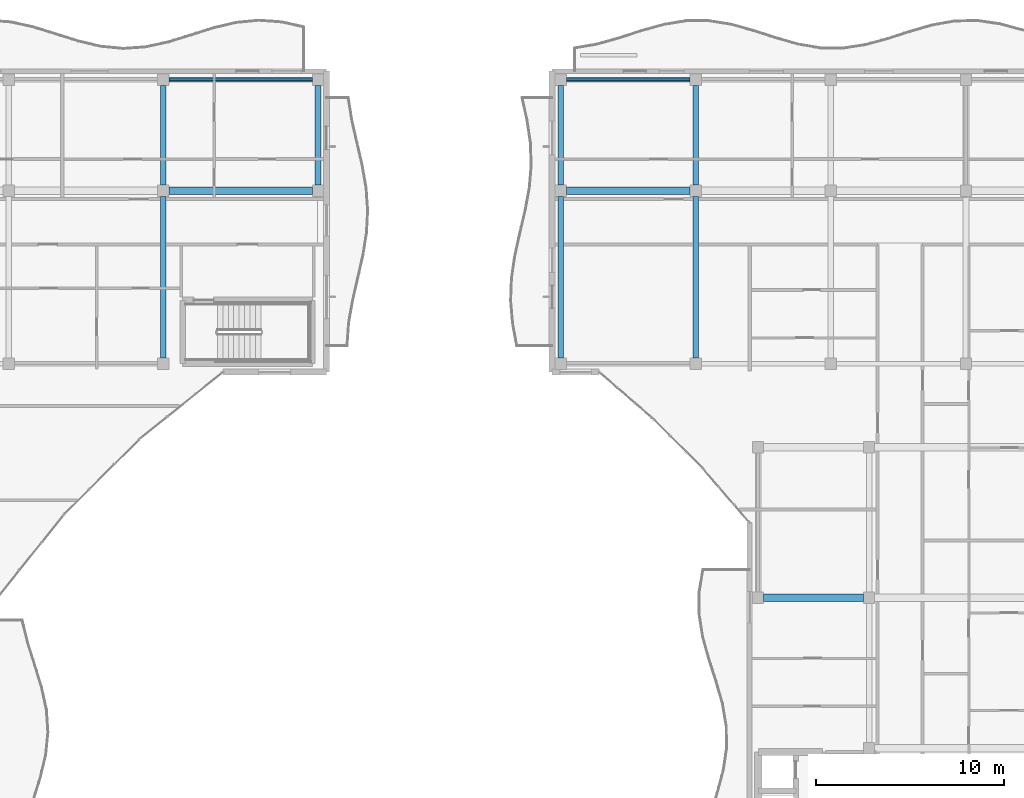
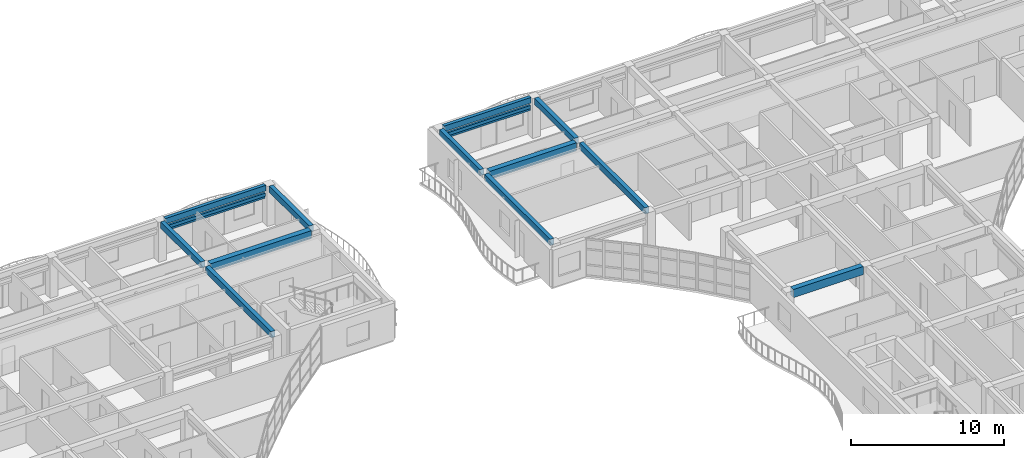
# One storey, part 10 of 71: 12 beams, 4 members.
"""IFC4 building model written with IfcOpenShell, lengths in metres."""

from ifc_helpers import new_model, si_unit, direction, frame, origin, origin_2d, place, context, subcontext, project, spatial, rectangle, hollow_rectangle, extrude, material, material_profile, profile_set, type_object, element, save


model = new_model("IFC4")

# Units and contexts
model_context = context("Model", 3, precision=1e-05, world=origin(), true_north=direction((0.0, 1.0)))
body_context = subcontext(model_context, "Body", "Model", "MODEL_VIEW")
ifc_project = project(units=[si_unit("LENGTHUNIT", "METRE"), si_unit("AREAUNIT", "SQUARE_METRE"), si_unit("VOLUMEUNIT", "CUBIC_METRE"), si_unit("PLANEANGLEUNIT", "RADIAN"), si_unit("MASSUNIT", "GRAM", prefix="KILO")], contexts=[model_context])

# Site, building, storey
site_placement = place(None, origin())
site = spatial("IfcSite", under=ifc_project, at=site_placement, CompositionType="ELEMENT")
building_placement = place(site_placement, origin())
building = spatial("IfcBuilding", under=site, at=building_placement, Name="Keldmere Railside Commons", CompositionType="ELEMENT")
storey_placement = place(building_placement, frame((0.0, 0.0, 20.159912109375)))
storey = spatial("IfcBuildingStorey", under=building, at=storey_placement, Name="L06", CompositionType="ELEMENT", Elevation=20.159912109375)

# Members
ifc_material_1 = material(Name="Steel F-36 (S355)", Category="steel")
ifc_material_profile_1 = material_profile(ifc_material_1, hollow_rectangle(XDim=0.14990234375, YDim=0.25, WallThickness=0.010009765625, at=origin_2d()), Name="RHS-250x150x10")
ifc_profile_set_1 = profile_set([ifc_material_profile_1], Name="Steel F-36 (S355)")
member_type_1 = type_object("IfcMemberType", Name="Balcony Continuous Planted Trough RHS250x150", PredefinedType="CHORD", material=ifc_profile_set_1)
member_1_placement = place(storey_placement, frame((73.1298828125, 115.550048828125, 2.4150390625), z_axis=(1.0, 0.0, 0.0), x_axis=(0.0, 1.0, 0.0)))
element("IfcMember", 1, at=member_1_placement, inside=storey, type_object=member_type_1, Name="PLT-1 MEM-BPLT-0701", PredefinedType="CHORD", context=body_context, shape_type="SweptSolid", body=[
    extrude(hollow_rectangle(XDim=0.14990234375, YDim=0.25, WallThickness=0.010009765625, at=origin_2d()), origin(), (0.0, 0.0, 1.0), 7.6201171875),
])
member_2_placement = place(storey_placement, frame((94.25, 115.550048828125, 2.4150390625), z_axis=(1.0, 0.0, 0.0), x_axis=(0.0, 1.0, 0.0)))
element("IfcMember", 2, at=member_2_placement, inside=storey, type_object=member_type_1, Name="PLT-1 MEM-BPLT-0723", PredefinedType="CHORD", context=body_context, shape_type="SweptSolid", body=[
    extrude(hollow_rectangle(XDim=0.14990234375, YDim=0.25, WallThickness=0.010009765625, at=origin_2d()), origin(), (0.0, 0.0, 1.0), 6.5830078125),
])

# Beams
ifc_material_2 = material(Name="Architectural Precast Concrete H-35 (C35/45)", Category="concrete")
ifc_material_profile_2 = material_profile(ifc_material_2, rectangle(XDim=0.25, YDim=0.449951171875, at=origin_2d()), Name="RC-250x450")
ifc_profile_set_2 = profile_set([ifc_material_profile_2], Name="Architectural Precast Concrete H-35 (C35/45)")
beam_type_1 = type_object("IfcBeamType", Name="Perimeter Precast Spandrel Beam 250x450", PredefinedType="SPANDREL", material=ifc_profile_set_2)
beam_1_placement = place(storey_placement, frame((73.1298828125, 115.550048828125, 2.97509765625), z_axis=(1.0, 0.0, 0.0), x_axis=(0.0, 1.0, 0.0)))
element("IfcBeam", 3, at=beam_1_placement, inside=storey, type_object=beam_type_1, Name="SPB-1 BM-L06-1930", PredefinedType="SPANDREL", context=body_context, shape_type="SweptSolid", body=[
    extrude(rectangle(XDim=0.25, YDim=0.449951171875, at=origin_2d()), origin(), (0.0, 0.0, 1.0), 7.6201171875),
])
beam_2_placement = place(storey_placement, frame((94.25, 115.550048828125, 2.97509765625), z_axis=(1.0, 0.0, 0.0), x_axis=(0.0, 1.0, 0.0)))
element("IfcBeam", 4, at=beam_2_placement, inside=storey, type_object=beam_type_1, Name="SPB-1 BM-L06-1931", PredefinedType="SPANDREL", context=body_context, shape_type="SweptSolid", body=[
    extrude(rectangle(XDim=0.25, YDim=0.449951171875, at=origin_2d()), origin(), (0.0, 0.0, 1.0), 6.5830078125),
])
ifc_material_3 = material(Name="Concrete H-30 (C30/37)", Category="concrete")
ifc_material_profile_3 = material_profile(ifc_material_3, rectangle(XDim=0.39990234375, YDim=0.64990234375, at=origin_2d()), Name="RC-400x650")
ifc_profile_set_3 = profile_set([ifc_material_profile_3], Name="Concrete H-30 (C30/37)")
beam_type_2 = type_object("IfcBeamType", Name="Residential Spine RC Girder 400x650", PredefinedType="BEAM", material=ifc_profile_set_3)
beam_3_placement = place(storey_placement, frame((104.75, 88.0, 2.875), z_axis=(1.0, 0.0, 0.0), x_axis=(0.0, 1.0, 0.0)))
element("IfcBeam", 5, at=beam_3_placement, inside=storey, type_object=beam_type_2, Name="BG-3 BM-L06-1885", PredefinedType="BEAM", context=body_context, shape_type="SweptSolid", body=[
    extrude(rectangle(XDim=0.39990234375, YDim=0.64990234375, at=origin_2d()), origin(), (0.0, 0.0, 1.0), 5.300048828125),
])
beam_4_placement = place(storey_placement, frame((73.1298828125, 109.64990234375, 2.875), z_axis=(1.0, 0.0, 0.0), x_axis=(0.0, 1.0, 0.0)))
element("IfcBeam", 6, at=beam_4_placement, inside=storey, type_object=beam_type_2, Name="BG-3 BM-L06-1914", PredefinedType="BEAM", context=body_context, shape_type="SweptSolid", body=[
    extrude(rectangle(XDim=0.39990234375, YDim=0.64990234375, at=origin_2d()), origin(), (0.0, 0.0, 1.0), 7.6201171875),
])
beam_5_placement = place(storey_placement, frame((94.25, 109.64990234375, 2.875), z_axis=(1.0, 0.0, 0.0), x_axis=(0.0, 1.0, 0.0)))
element("IfcBeam", 7, at=beam_5_placement, inside=storey, type_object=beam_type_2, Name="BG-3 BM-L06-1915", PredefinedType="BEAM", context=body_context, shape_type="SweptSolid", body=[
    extrude(rectangle(XDim=0.39990234375, YDim=0.64990234375, at=origin_2d()), origin(), (0.0, 0.0, 1.0), 6.5830078125),
])
ifc_material_profile_4 = material_profile(ifc_material_3, rectangle(XDim=0.300048828125, YDim=0.5, at=origin_2d()), Name="RC-300x500")
ifc_profile_set_4 = profile_set([ifc_material_profile_4], Name="Concrete H-30 (C30/37)")
beam_type_3 = type_object("IfcBeamType", Name="Secondary Frame RC Beam 300x500", PredefinedType="BEAM", material=ifc_profile_set_4)
beam_6_placement = place(storey_placement, frame((72.830078125, 100.75, 2.9501953125), z_axis=(0.0, 1.0, 0.0), x_axis=(-1.0, 0.0, 0.0)))
element("IfcBeam", 8, at=beam_6_placement, inside=storey, type_object=beam_type_3, Name="BG-5 BM-L06-1970", PredefinedType="BEAM", context=body_context, shape_type="SweptSolid", body=[
    extrude(rectangle(XDim=0.300048828125, YDim=0.5, at=origin_2d()), origin(), (0.0, 0.0, 1.0), 8.60009765625),
])
for number, where, z_axis, x_axis, name in (
    (9, (72.830078125, 109.949951171875, 2.9501953125), (0.0, 1.0, 0.0), (-1.0, 0.0, 0.0), "BG-5 BM-L06-1971"),
    (10, (81.050048828125, 109.949951171875, 2.9501953125), (0.0, 1.0, 0.0), (-1.0, 0.0, 0.0), "BG-5 BM-L06-1972"),
):
    element("IfcBeam", number, at=place(storey_placement, frame(where, z_axis=z_axis, x_axis=x_axis)), inside=storey, type_object=beam_type_3, Name=name, PredefinedType="BEAM", context=body_context, shape_type="SweptSolid", body=[
        extrude(rectangle(XDim=0.300048828125, YDim=0.5, at=origin_2d()), origin(), (0.0, 0.0, 1.0), 5.300048828125),
    ])
beam_7_placement = place(storey_placement, frame((93.949951171875, 100.75, 2.9501953125), z_axis=(0.0, 1.0, 0.0), x_axis=(-1.0, 0.0, 0.0)))
element("IfcBeam", 11, at=beam_7_placement, inside=storey, type_object=beam_type_3, Name="BG-5 BM-L06-1973", PredefinedType="BEAM", context=body_context, shape_type="SweptSolid", body=[
    extrude(rectangle(XDim=0.300048828125, YDim=0.5, at=origin_2d()), origin(), (0.0, 0.0, 1.0), 8.60009765625),
])
beam_8_placement = place(storey_placement, frame((93.949951171875, 109.949951171875, 2.9501953125), z_axis=(0.0, 1.0, 0.0), x_axis=(-1.0, 0.0, 0.0)))
element("IfcBeam", 12, at=beam_8_placement, inside=storey, type_object=beam_type_3, Name="BG-5 BM-L06-1974", PredefinedType="BEAM", context=body_context, shape_type="SweptSolid", body=[
    extrude(rectangle(XDim=0.300048828125, YDim=0.5, at=origin_2d()), origin(), (0.0, 0.0, 1.0), 5.300048828125),
])
beam_9_placement = place(storey_placement, frame((101.133056640625, 100.75, 2.9501953125), z_axis=(0.0, 1.0, 0.0), x_axis=(-1.0, 0.0, 0.0)))
element("IfcBeam", 13, at=beam_9_placement, inside=storey, type_object=beam_type_3, Name="BG-5 BM-L06-1975", PredefinedType="BEAM", context=body_context, shape_type="SweptSolid", body=[
    extrude(rectangle(XDim=0.300048828125, YDim=0.5, at=origin_2d()), origin(), (0.0, 0.0, 1.0), 8.60009765625),
])
beam_10_placement = place(storey_placement, frame((101.133056640625, 109.949951171875, 2.9501953125), z_axis=(0.0, 1.0, 0.0), x_axis=(-1.0, 0.0, 0.0)))
element("IfcBeam", 14, at=beam_10_placement, inside=storey, type_object=beam_type_3, Name="BG-5 BM-L06-1976", PredefinedType="BEAM", context=body_context, shape_type="SweptSolid", body=[
    extrude(rectangle(XDim=0.300048828125, YDim=0.5, at=origin_2d()), origin(), (0.0, 0.0, 1.0), 5.300048828125),
])

# Members
ifc_material_profile_5 = material_profile(ifc_material_1, hollow_rectangle(XDim=0.10009765625, YDim=0.159912109375, WallThickness=0.008056640625, at=origin_2d()), Name="RHS-160x100x8")
ifc_profile_set_5 = profile_set([ifc_material_profile_5], Name="Steel F-36 (S355)")
member_type_2 = type_object("IfcMemberType", Name="Solar Brise-Soleil Louvre Fin RHS160x100", PredefinedType="STRUT", material=ifc_profile_set_5)
member_3_placement = place(storey_placement, frame((73.1298828125, 115.550048828125, 2.2001953125), z_axis=(1.0, 0.0, 0.0), x_axis=(0.0, 1.0, 0.0)))
element("IfcMember", 15, at=member_3_placement, inside=storey, type_object=member_type_2, Name="BSF-1 MEM-BSF-0702", PredefinedType="STRUT", context=body_context, shape_type="SweptSolid", body=[
    extrude(hollow_rectangle(XDim=0.10009765625, YDim=0.159912109375, WallThickness=0.008056640625, at=origin_2d()), origin(), (0.0, 0.0, 1.0), 7.6201171875),
])
member_4_placement = place(storey_placement, frame((94.25, 115.550048828125, 2.2001953125), z_axis=(1.0, 0.0, 0.0), x_axis=(0.0, 1.0, 0.0)))
element("IfcMember", 16, at=member_4_placement, inside=storey, type_object=member_type_2, Name="BSF-1 MEM-BSF-0724", PredefinedType="STRUT", context=body_context, shape_type="SweptSolid", body=[
    extrude(hollow_rectangle(XDim=0.10009765625, YDim=0.159912109375, WallThickness=0.008056640625, at=origin_2d()), origin(), (0.0, 0.0, 1.0), 6.5830078125),
])

save(model, "model.ifc")
